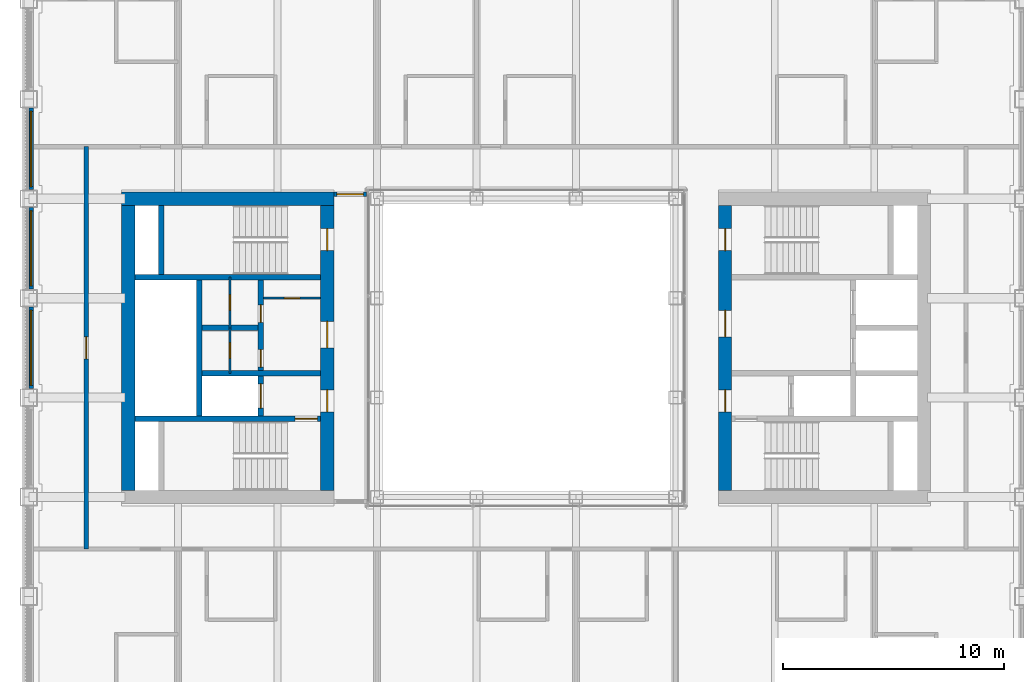
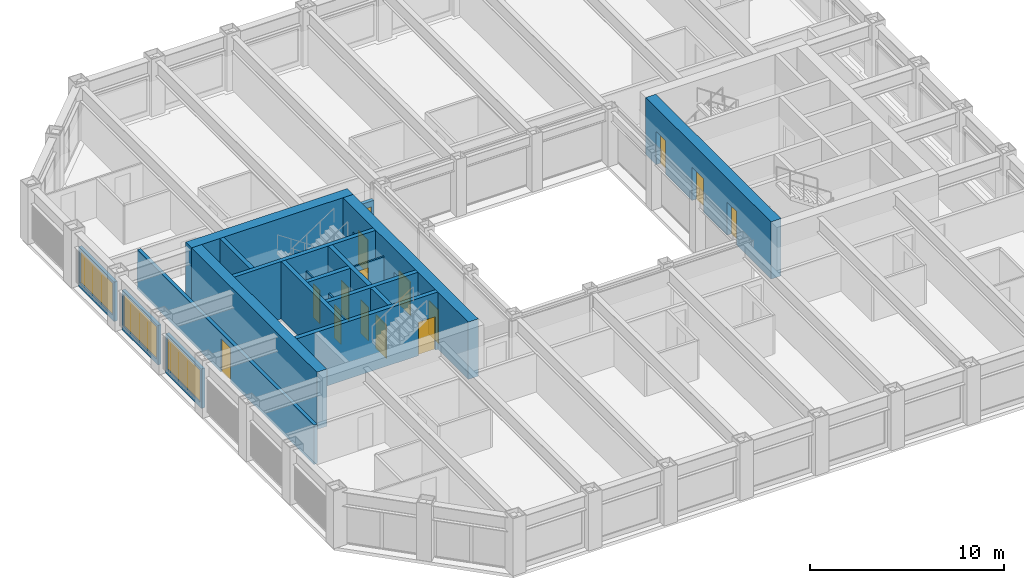
# One storey, part 11 of 17: 19 walls, 15 doors, 3 windows, 18 openings.
"""IFC4 building model written with IfcOpenShell, lengths in metres."""

from ifc_helpers import new_model, si_unit, direction, frame, frame_2d, origin, place, context, subcontext, project, spatial, rectangle, extrude, material, layer, layer_set, type_object, element, fill, save


model = new_model("IFC4")

# Units and contexts
model_context = context("Model", 3, precision=1e-05, world=origin(), true_north=direction((0.0, 1.0)))
body_context = subcontext(model_context, "Body", "Model", "MODEL_VIEW")
ifc_project = project(units=[si_unit("LENGTHUNIT", "METRE"), si_unit("AREAUNIT", "SQUARE_METRE"), si_unit("VOLUMEUNIT", "CUBIC_METRE"), si_unit("PLANEANGLEUNIT", "RADIAN"), si_unit("MASSUNIT", "GRAM", prefix="KILO")], contexts=[model_context])

# Site, building, storey
site_placement = place(None, origin())
site = spatial("IfcSite", under=ifc_project, at=site_placement, CompositionType="ELEMENT")
building_placement = place(site_placement, origin())
building = spatial("IfcBuilding", under=site, at=building_placement, Name="Msasa Ring Tower", CompositionType="ELEMENT")
storey_placement = place(building_placement, frame((0.0, 0.0, 168.800048828125)))
storey = spatial("IfcBuildingStorey", under=building, at=storey_placement, Name="L44", CompositionType="ELEMENT", Elevation=168.800048828125)

# Wall, openings, doors
ifc_material_1 = material(Name="Concrete C60/75", Category="concrete")
ifc_layer_1 = layer(ifc_material_1, 0.60009765625)
ifc_layer_set_1 = layer_set([ifc_layer_1], Name="CW2 CORE WALL 600")
wall_type_1 = type_object("IfcWallType", Name="CW2 CORE WALL 600", PredefinedType="SHEAR", material=ifc_layer_set_1)
wall_1_placement = place(storey_placement, frame((9.0, -6.449951171875, 0.0), z_axis=(0.0, 0.0, 1.0), x_axis=(0.0, 1.0, 0.0)))
wall_1 = element("IfcWall", 1, at=wall_1_placement, inside=storey, type_object=wall_type_1, Name="E core wall W L44", PredefinedType="SHEAR", context=body_context, shape_type="SweptSolid", body=[
    extrude(rectangle(XDim=12.89990234375, YDim=0.60009765625, at=frame_2d((6.449951171875, 0.0))), origin(), (0.0, 0.0, 1.0), 3.599853515625),
])
opening_1_placement = place(wall_1_placement, frame((3.550048828125, 0.0, 0.0)))
opening_1 = element("IfcOpeningElement", 2, at=opening_1_placement, cuts=wall_1, Name="Opening HE-028", PredefinedType="OPENING", context=body_context, shape_type="SweptSolid", body=[
    extrude(rectangle(XDim=1.0, YDim=2.10009765625, at=frame_2d((0.5, 1.050048828125))), frame((0.0, 0.31005859375, 0.0), z_axis=(0.0, -1.0, 0.0), x_axis=(1.0, 0.0, 0.0)), (0.0, 0.0, 1.0), 0.6201171875),
])
opening_2_placement = place(wall_1_placement, frame((6.949951171875, 0.0, 0.0)))
opening_2 = element("IfcOpeningElement", 3, at=opening_2_placement, cuts=wall_1, Name="Opening HE-021", PredefinedType="OPENING", context=body_context, shape_type="SweptSolid", body=[
    extrude(rectangle(XDim=1.199951171875, YDim=2.10009765625, at=frame_2d((0.60009765625, 1.050048828125))), frame((0.0, 0.31005859375, 0.0), z_axis=(0.0, -1.0, 0.0), x_axis=(1.0, 0.0, 0.0)), (0.0, 0.0, 1.0), 0.6201171875),
])
opening_3_placement = place(wall_1_placement, frame((10.85009765625, 0.0, 0.0)))
opening_3 = element("IfcOpeningElement", 4, at=opening_3_placement, cuts=wall_1, Name="Opening HE-017", PredefinedType="OPENING", context=body_context, shape_type="SweptSolid", body=[
    extrude(rectangle(XDim=1.0, YDim=2.10009765625, at=frame_2d((0.5, 1.050048828125))), frame((0.0, 0.31005859375, 0.0), z_axis=(0.0, -1.0, 0.0), x_axis=(1.0, 0.0, 0.0)), (0.0, 0.0, 1.0), 0.6201171875),
])
ifc_material_2 = material(Name="Timber door leaf in a steel frame", Category="steel")
door_type_1 = type_object("IfcDoorType", Name="D4 LOBBY DOOR 1000x2100", OperationType="SINGLE_SWING_LEFT", PredefinedType="DOOR", material=ifc_material_2)
door_1_placement = place(opening_1_placement, origin())
door_1 = element("IfcDoor", 5, at=door_1_placement, inside=storey, type_object=door_type_1, Name="Door L44-EFFL", OperationType="SINGLE_SWING_LEFT", OverallHeight=2.10009765625, OverallWidth=1.0, PredefinedType="DOOR", context=body_context, shape_type="SweptSolid", body=[
    extrude(rectangle(XDim=1.0, YDim=2.10009765625, at=frame_2d((0.5, 1.050048828125))), frame((0.0, 0.02490234375, 0.0), z_axis=(0.0, -1.0, 0.0), x_axis=(1.0, 0.0, 0.0)), (0.0, 0.0, 1.0), 0.050048828125),
])
fill(opening_1, door_1)
ifc_material_3 = material(Name="Timber door leaf in a steel frame", Category="steel")
door_type_2 = type_object("IfcDoorType", Name="D5 WIDE LOBBY DOOR 1200x2100", OperationType="SINGLE_SWING_LEFT", PredefinedType="DOOR", material=ifc_material_3)
door_2_placement = place(opening_2_placement, origin())
door_2 = element("IfcDoor", 6, at=door_2_placement, inside=storey, type_object=door_type_2, Name="Door L44-ELL", OperationType="SINGLE_SWING_RIGHT", OverallHeight=2.10009765625, OverallWidth=1.199951171875, PredefinedType="DOOR", context=body_context, shape_type="SweptSolid", body=[
    extrude(rectangle(XDim=1.199951171875, YDim=2.10009765625, at=frame_2d((0.60009765625, 1.050048828125))), frame((0.0, 0.02490234375, 0.0), z_axis=(0.0, -1.0, 0.0), x_axis=(1.0, 0.0, 0.0)), (0.0, 0.0, 1.0), 0.050048828125),
])
fill(opening_2, door_2)
ifc_material_4 = material(Name="Timber door leaf in a steel frame", Category="steel")
door_type_3 = type_object("IfcDoorType", Name="D6 STAIR DOOR 1000x2100", OperationType="SINGLE_SWING_LEFT", PredefinedType="DOOR", material=ifc_material_4)
door_3_placement = place(opening_3_placement, origin())
door_3 = element("IfcDoor", 7, at=door_3_placement, inside=storey, type_object=door_type_3, Name="Door L44-ESTB", OperationType="SINGLE_SWING_RIGHT", OverallHeight=2.10009765625, OverallWidth=1.0, PredefinedType="DOOR", context=body_context, shape_type="SweptSolid", body=[
    extrude(rectangle(XDim=1.0, YDim=2.10009765625, at=frame_2d((0.5, 1.050048828125))), frame((0.0, 0.02490234375, 0.0), z_axis=(0.0, -1.0, 0.0), x_axis=(1.0, 0.0, 0.0)), (0.0, 0.0, 1.0), 0.050048828125),
])
fill(opening_3, door_3)

# Wall
wall_2_placement = place(storey_placement, frame((-8.699951171875, 6.75, 0.0), z_axis=(0.0, 0.0, 1.0), x_axis=(-1.0, 0.0, 0.0)))
element("IfcWall", 8, at=wall_2_placement, inside=storey, type_object=wall_type_1, Name="W core wall N L44", PredefinedType="SHEAR", context=body_context, shape_type="SweptSolid", body=[
    extrude(rectangle(XDim=9.60009765625, YDim=0.60009765625, at=frame_2d((4.800048828125, 0.0))), origin(), (0.0, 0.0, 1.0), 3.599853515625),
])

# Wall, openings, doors
wall_3_placement = place(storey_placement, frame((-9.0, -6.449951171875, 0.0), z_axis=(0.0, 0.0, 1.0), x_axis=(0.0, 1.0, 0.0)))
wall_3 = element("IfcWall", 9, at=wall_3_placement, inside=storey, type_object=wall_type_1, Name="W core wall W L44", PredefinedType="SHEAR", context=body_context, shape_type="SweptSolid", body=[
    extrude(rectangle(XDim=12.89990234375, YDim=0.60009765625, at=frame_2d((6.449951171875, 0.0))), origin(), (0.0, 0.0, 1.0), 3.599853515625),
])
opening_4_placement = place(wall_3_placement, frame((3.550048828125, 0.0, 0.0)))
opening_4 = element("IfcOpeningElement", 10, at=opening_4_placement, cuts=wall_3, Name="Opening HE-027", PredefinedType="OPENING", context=body_context, shape_type="SweptSolid", body=[
    extrude(rectangle(XDim=1.0, YDim=2.10009765625, at=frame_2d((0.5, 1.050048828125))), frame((0.0, 0.31005859375, 0.0), z_axis=(0.0, -1.0, 0.0), x_axis=(1.0, 0.0, 0.0)), (0.0, 0.0, 1.0), 0.6201171875),
])
opening_5_placement = place(wall_3_placement, frame((6.449951171875, 0.0, 0.0)))
opening_5 = element("IfcOpeningElement", 11, at=opening_5_placement, cuts=wall_3, Name="Opening HE-022", PredefinedType="OPENING", context=body_context, shape_type="SweptSolid", body=[
    extrude(rectangle(XDim=1.199951171875, YDim=2.10009765625, at=frame_2d((0.60009765625, 1.050048828125))), frame((0.0, 0.31005859375, 0.0), z_axis=(0.0, -1.0, 0.0), x_axis=(1.0, 0.0, 0.0)), (0.0, 0.0, 1.0), 0.6201171875),
])
opening_6_placement = place(wall_3_placement, frame((10.85009765625, 0.0, 0.0)))
opening_6 = element("IfcOpeningElement", 12, at=opening_6_placement, cuts=wall_3, Name="Opening HE-016", PredefinedType="OPENING", context=body_context, shape_type="SweptSolid", body=[
    extrude(rectangle(XDim=1.0, YDim=2.10009765625, at=frame_2d((0.5, 1.050048828125))), frame((0.0, 0.31005859375, 0.0), z_axis=(0.0, -1.0, 0.0), x_axis=(1.0, 0.0, 0.0)), (0.0, 0.0, 1.0), 0.6201171875),
])
door_4_placement = place(opening_4_placement, origin())
door_4 = element("IfcDoor", 13, at=door_4_placement, inside=storey, type_object=door_type_1, Name="Door L44-WFFL", OperationType="SINGLE_SWING_LEFT", OverallHeight=2.10009765625, OverallWidth=1.0, PredefinedType="DOOR", context=body_context, shape_type="SweptSolid", body=[
    extrude(rectangle(XDim=1.0, YDim=2.10009765625, at=frame_2d((0.5, 1.050048828125))), frame((0.0, 0.02490234375, 0.0), z_axis=(0.0, -1.0, 0.0), x_axis=(1.0, 0.0, 0.0)), (0.0, 0.0, 1.0), 0.050048828125),
])
fill(opening_4, door_4)
door_5_placement = place(opening_5_placement, origin())
door_5 = element("IfcDoor", 14, at=door_5_placement, inside=storey, type_object=door_type_2, Name="Door L44-WLL", OperationType="SINGLE_SWING_RIGHT", OverallHeight=2.10009765625, OverallWidth=1.199951171875, PredefinedType="DOOR", context=body_context, shape_type="SweptSolid", body=[
    extrude(rectangle(XDim=1.199951171875, YDim=2.10009765625, at=frame_2d((0.60009765625, 1.050048828125))), frame((0.0, 0.02490234375, 0.0), z_axis=(0.0, -1.0, 0.0), x_axis=(1.0, 0.0, 0.0)), (0.0, 0.0, 1.0), 0.050048828125),
])
fill(opening_5, door_5)
door_6_placement = place(opening_6_placement, origin())
door_6 = element("IfcDoor", 15, at=door_6_placement, inside=storey, type_object=door_type_3, Name="Door L44-WSTB", OperationType="SINGLE_SWING_RIGHT", OverallHeight=2.10009765625, OverallWidth=1.0, PredefinedType="DOOR", context=body_context, shape_type="SweptSolid", body=[
    extrude(rectangle(XDim=1.0, YDim=2.10009765625, at=frame_2d((0.5, 1.050048828125))), frame((0.0, 0.02490234375, 0.0), z_axis=(0.0, -1.0, 0.0), x_axis=(1.0, 0.0, 0.0)), (0.0, 0.0, 1.0), 0.050048828125),
])
fill(opening_6, door_6)

# Wall
wall_4_placement = place(storey_placement, frame((-18.0, -6.449951171875, 0.0), z_axis=(0.0, 0.0, 1.0), x_axis=(0.0, 1.0, 0.0)))
element("IfcWall", 16, at=wall_4_placement, inside=storey, type_object=wall_type_1, Name="W core wall E L44", PredefinedType="SHEAR", context=body_context, shape_type="SweptSolid", body=[
    extrude(rectangle(XDim=12.89990234375, YDim=0.60009765625, at=frame_2d((6.449951171875, 0.0))), origin(), (0.0, 0.0, 1.0), 3.599853515625),
])

# Wall, opening, door
ifc_material_5 = material(Name="Concrete C60/75", Category="concrete")
ifc_layer_2 = layer(ifc_material_5, 0.25)
ifc_layer_set_2 = layer_set([ifc_layer_2], Name="CW4 CORE INNER WALL 250")
wall_type_2 = type_object("IfcWallType", Name="CW4 CORE INNER WALL 250", PredefinedType="SHEAR", material=ifc_layer_set_2)
wall_5_placement = place(storey_placement, frame((-9.300048828125, -3.199951171875, 0.0), z_axis=(0.0, 0.0, 1.0), x_axis=(-1.0, 0.0, 0.0)))
wall_5 = element("IfcWall", 17, at=wall_5_placement, inside=storey, type_object=wall_type_2, Name="W core wall STAIRA L44", PredefinedType="SHEAR", context=body_context, shape_type="SweptSolid", body=[
    extrude(rectangle(XDim=8.39990234375, YDim=0.25, at=frame_2d((4.199951171875, 0.0))), origin(), (0.0, 0.0, 1.0), 3.599853515625),
])
opening_7_placement = place(wall_5_placement, frame((0.14990234375, 0.0, 0.0)))
opening_7 = element("IfcOpeningElement", 18, at=opening_7_placement, cuts=wall_5, Name="Opening HE-029", PredefinedType="OPENING", context=body_context, shape_type="SweptSolid", body=[
    extrude(rectangle(XDim=1.0, YDim=2.10009765625, at=frame_2d((0.5, 1.050048828125))), frame((0.0, 0.135009765625, 0.0), z_axis=(0.0, -1.0, 0.0), x_axis=(1.0, 0.0, 0.0)), (0.0, 0.0, 1.0), 0.27001953125),
])
door_7_placement = place(opening_7_placement, origin())
door_7 = element("IfcDoor", 19, at=door_7_placement, inside=storey, type_object=door_type_3, Name="Door L44-WSTA", OperationType="SINGLE_SWING_LEFT", OverallHeight=2.10009765625, OverallWidth=1.0, PredefinedType="DOOR", context=body_context, shape_type="SweptSolid", body=[
    extrude(rectangle(XDim=1.0, YDim=2.10009765625, at=frame_2d((0.5, 1.050048828125))), frame((0.0, 0.02490234375, 0.0), z_axis=(0.0, -1.0, 0.0), x_axis=(1.0, 0.0, 0.0)), (0.0, 0.0, 1.0), 0.050048828125),
])
fill(opening_7, door_7)

# Walls
wall_6_placement = place(storey_placement, frame((-9.300048828125, 3.199951171875, 0.0), z_axis=(0.0, 0.0, 1.0), x_axis=(-1.0, 0.0, 0.0)))
element("IfcWall", 20, at=wall_6_placement, inside=storey, type_object=wall_type_2, Name="W core wall STAIRB L44", PredefinedType="SHEAR", context=body_context, shape_type="SweptSolid", body=[
    extrude(rectangle(XDim=8.39990234375, YDim=0.25, at=frame_2d((4.199951171875, 0.0))), origin(), (0.0, 0.0, 1.0), 3.599853515625),
])
wall_7_placement = place(storey_placement, frame((-16.5, 3.324951171875, 0.0), z_axis=(0.0, 0.0, 1.0), x_axis=(0.0, 1.0, 0.0)))
element("IfcWall", 21, at=wall_7_placement, inside=storey, type_object=wall_type_2, Name="W core wall RISERB L44", PredefinedType="SHEAR", context=body_context, shape_type="SweptSolid", body=[
    extrude(rectangle(XDim=3.125, YDim=0.25, at=frame_2d((1.5625, 0.0))), origin(), (0.0, 0.0, 1.0), 3.599853515625),
])
wall_8_placement = place(storey_placement, frame((-9.300048828125, -1.14990234375, 0.0), z_axis=(0.0, 0.0, 1.0), x_axis=(-1.0, 0.0, 0.0)))
element("IfcWall", 22, at=wall_8_placement, inside=storey, type_object=wall_type_2, Name="W core wall FFL L44", PredefinedType="SHEAR", context=body_context, shape_type="SweptSolid", body=[
    extrude(rectangle(XDim=5.375, YDim=0.25, at=frame_2d((2.6875, 0.0))), origin(), (0.0, 0.0, 1.0), 3.599853515625),
])

# Wall, openings, doors
wall_9_placement = place(storey_placement, frame((-12.0, -3.074951171875, 0.0), z_axis=(0.0, 0.0, 1.0), x_axis=(0.0, 1.0, 0.0)))
wall_9 = element("IfcWall", 23, at=wall_9_placement, inside=storey, type_object=wall_type_2, Name="W core wall LOBBY L44", PredefinedType="SHEAR", context=body_context, shape_type="SweptSolid", body=[
    extrude(rectangle(XDim=6.14990234375, YDim=0.25, at=frame_2d((3.074951171875, 0.0))), origin(), (0.0, 0.0, 1.0), 3.599853515625),
])
opening_8_placement = place(wall_9_placement, frame((2.199951171875, 0.0, 0.0)))
opening_8 = element("IfcOpeningElement", 24, at=opening_8_placement, cuts=wall_9, Name="Opening HE-026", PredefinedType="OPENING", context=body_context, shape_type="SweptSolid", body=[
    extrude(rectangle(XDim=0.800048828125, YDim=2.10009765625, at=frame_2d((0.39990234375, 1.050048828125))), frame((0.0, 0.135009765625, 0.0), z_axis=(0.0, -1.0, 0.0), x_axis=(1.0, 0.0, 0.0)), (0.0, 0.0, 1.0), 0.27001953125),
])
opening_9_placement = place(wall_9_placement, frame((4.22509765625, 0.0, 0.0)))
opening_9 = element("IfcOpeningElement", 25, at=opening_9_placement, cuts=wall_9, Name="Opening HE-020", PredefinedType="OPENING", context=body_context, shape_type="SweptSolid", body=[
    extrude(rectangle(XDim=0.800048828125, YDim=2.10009765625, at=frame_2d((0.39990234375, 1.050048828125))), frame((0.0, 0.135009765625, 0.0), z_axis=(0.0, -1.0, 0.0), x_axis=(1.0, 0.0, 0.0)), (0.0, 0.0, 1.0), 0.27001953125),
])
opening_10_placement = place(wall_9_placement, frame((0.35009765625, 0.0, 0.0)))
opening_10 = element("IfcOpeningElement", 26, at=opening_10_placement, cuts=wall_9, Name="Opening LD1", PredefinedType="OPENING", context=body_context, shape_type="SweptSolid", body=[
    extrude(rectangle(XDim=1.10009765625, YDim=2.10009765625, at=frame_2d((0.550048828125, 1.050048828125))), frame((0.0, 0.135009765625, 0.0), z_axis=(0.0, -1.0, 0.0), x_axis=(1.0, 0.0, 0.0)), (0.0, 0.0, 1.0), 0.27001953125),
])
ifc_material_6 = material(Name="Timber door leaf in a steel frame", Category="steel")
door_type_4 = type_object("IfcDoorType", Name="D9 NARROW SERVICE DOOR 800x2100", OperationType="SINGLE_SWING_LEFT", PredefinedType="DOOR", material=ifc_material_6)
door_8_placement = place(opening_8_placement, origin())
door_8 = element("IfcDoor", 27, at=door_8_placement, inside=storey, type_object=door_type_4, Name="Door L44-WR1", OperationType="SINGLE_SWING_LEFT", OverallHeight=2.10009765625, OverallWidth=0.800048828125, PredefinedType="DOOR", context=body_context, shape_type="SweptSolid", body=[
    extrude(rectangle(XDim=0.800048828125, YDim=2.10009765625, at=frame_2d((0.39990234375, 1.050048828125))), frame((0.0, 0.02490234375, 0.0), z_axis=(0.0, -1.0, 0.0), x_axis=(1.0, 0.0, 0.0)), (0.0, 0.0, 1.0), 0.050048828125),
])
fill(opening_8, door_8)
door_9_placement = place(opening_9_placement, origin())
door_9 = element("IfcDoor", 28, at=door_9_placement, inside=storey, type_object=door_type_4, Name="Door L44-WR2", OperationType="SINGLE_SWING_RIGHT", OverallHeight=2.10009765625, OverallWidth=0.800048828125, PredefinedType="DOOR", context=body_context, shape_type="SweptSolid", body=[
    extrude(rectangle(XDim=0.800048828125, YDim=2.10009765625, at=frame_2d((0.39990234375, 1.050048828125))), frame((0.0, 0.02490234375, 0.0), z_axis=(0.0, -1.0, 0.0), x_axis=(1.0, 0.0, 0.0)), (0.0, 0.0, 1.0), 0.050048828125),
])
fill(opening_9, door_9)
ifc_material_7 = material(Name="Stainless steel lift landing door", Category="steel")
door_type_5 = type_object("IfcDoorType", Name="LD1 LIFT LANDING DOOR 1100x2100", OperationType="DOUBLE_DOOR_SLIDING", PredefinedType="DOOR", material=ifc_material_7)
door_10_placement = place(opening_10_placement, origin())
door_10 = element("IfcDoor", 29, at=door_10_placement, inside=storey, type_object=door_type_5, Name="Lift landing door FL-W L44", OperationType="DOUBLE_DOOR_SLIDING", OverallHeight=2.10009765625, OverallWidth=1.10009765625, PredefinedType="DOOR", context=body_context, shape_type="SweptSolid", body=[
    extrude(rectangle(XDim=1.10009765625, YDim=2.10009765625, at=frame_2d((0.550048828125, 1.050048828125))), frame((0.0, 0.02490234375, 0.0), z_axis=(0.0, -1.0, 0.0), x_axis=(1.0, 0.0, 0.0)), (0.0, 0.0, 1.0), 0.050048828125),
])
fill(opening_10, door_10)

# Walls
wall_10_placement = place(storey_placement, frame((-14.800048828125, -3.074951171875, 0.0), z_axis=(0.0, 0.0, 1.0), x_axis=(0.0, 1.0, 0.0)))
element("IfcWall", 30, at=wall_10_placement, inside=storey, type_object=wall_type_2, Name="W core wall SHAFT L44", PredefinedType="SHEAR", context=body_context, shape_type="SweptSolid", body=[
    extrude(rectangle(XDim=6.14990234375, YDim=0.25, at=frame_2d((3.074951171875, 0.0))), origin(), (0.0, 0.0, 1.0), 3.599853515625),
])
wall_11_placement = place(storey_placement, frame((-12.125, 0.89990234375, 0.0), z_axis=(0.0, 0.0, 1.0), x_axis=(-1.0, 0.0, 0.0)))
element("IfcWall", 31, at=wall_11_placement, inside=storey, type_object=wall_type_2, Name="W core wall LIFT1 L44", PredefinedType="SHEAR", context=body_context, shape_type="SweptSolid", body=[
    extrude(rectangle(XDim=2.550048828125, YDim=0.25, at=frame_2d((1.27490234375, 0.0))), origin(), (0.0, 0.0, 1.0), 3.599853515625),
])

# Wall, opening, window
ifc_material_8 = material(Name="Terracotta rainscreen on blockwork", Category="masonry")
ifc_layer_3 = layer(ifc_material_8, 0.199951171875)
ifc_layer_set_3 = layer_set([ifc_layer_3], Name="FW1 TERRACOTTA-LINED INFILL BAY WALL 200")
wall_type_3 = type_object("IfcWallType", Name="FW1 TERRACOTTA-LINED INFILL BAY WALL 200", PredefinedType="SOLIDWALL", material=ifc_layer_set_3)
wall_12_placement = place(storey_placement, frame((-22.39990234375, -1.844970703125, 0.0), z_axis=(0.0, 0.0, 1.0), x_axis=(0.0, 1.0, 0.0)))
wall_12 = element("IfcWall", 32, at=wall_12_placement, inside=storey, type_object=wall_type_3, Name="Infill bay wall W L44 30", PredefinedType="SOLIDWALL", context=body_context, shape_type="SweptSolid", body=[
    extrude(rectangle(XDim=3.68994140625, YDim=0.199951171875, at=frame_2d((1.844970703125, 0.0))), origin(), (0.0, 0.0, 1.0), 2.47900390625),
])
opening_11_placement = place(wall_12_placement, frame((0.14501953125, 0.0, 0.300048828125)))
opening_11 = element("IfcOpeningElement", 33, at=opening_11_placement, cuts=wall_12, Name="Opening WN2", PredefinedType="OPENING", context=body_context, shape_type="SweptSolid", body=[
    extrude(rectangle(XDim=3.39990234375, YDim=2.029052734375, at=frame_2d((1.699951171875, 1.0146484375))), frame((0.0, 0.10986328125, 0.0), z_axis=(0.0, -1.0, 0.0), x_axis=(1.0, 0.0, 0.0)), (0.0, 0.0, 1.0), 0.219970703125),
])
ifc_material_9 = material(Name="Aluminium frame with clear glass", Category="aluminium")
window_type = type_object("IfcWindowType", Name="WN2 GUEST ROOM WINDOW 3400x2029", PartitioningType="SINGLE_PANEL", PredefinedType="WINDOW", material=ifc_material_9)
window_1_placement = place(opening_11_placement, origin())
window_1 = element("IfcWindow", 34, at=window_1_placement, inside=storey, type_object=window_type, Name="Window W L44 30", OverallHeight=2.029052734375, OverallWidth=3.39990234375, PartitioningType="SINGLE_PANEL", PredefinedType="WINDOW", context=body_context, shape_type="SweptSolid", body=[
    extrude(rectangle(XDim=3.39990234375, YDim=2.029052734375, at=frame_2d((1.699951171875, 1.0146484375))), frame((0.0, 0.030029296875, 0.0), z_axis=(0.0, -1.0, 0.0), x_axis=(1.0, 0.0, 0.0)), (0.0, 0.0, 1.0), 0.06005859375),
])
fill(opening_11, window_1)

wall_13_placement = place(storey_placement, frame((-22.39990234375, 2.655029296875, 0.0), z_axis=(0.0, 0.0, 1.0), x_axis=(0.0, 1.0, 0.0)))
wall_13 = element("IfcWall", 35, at=wall_13_placement, inside=storey, type_object=wall_type_3, Name="Infill bay wall W L44 31", PredefinedType="SOLIDWALL", context=body_context, shape_type="SweptSolid", body=[
    extrude(rectangle(XDim=3.68994140625, YDim=0.199951171875, at=frame_2d((1.844970703125, 0.0))), origin(), (0.0, 0.0, 1.0), 2.47900390625),
])
opening_12_placement = place(wall_13_placement, frame((0.14501953125, 0.0, 0.300048828125)))
opening_12 = element("IfcOpeningElement", 36, at=opening_12_placement, cuts=wall_13, Name="Opening WN2", PredefinedType="OPENING", context=body_context, shape_type="SweptSolid", body=[
    extrude(rectangle(XDim=3.39990234375, YDim=2.029052734375, at=frame_2d((1.699951171875, 1.0146484375))), frame((0.0, 0.10986328125, 0.0), z_axis=(0.0, -1.0, 0.0), x_axis=(1.0, 0.0, 0.0)), (0.0, 0.0, 1.0), 0.219970703125),
])
window_2_placement = place(opening_12_placement, origin())
window_2 = element("IfcWindow", 37, at=window_2_placement, inside=storey, type_object=window_type, Name="Window W L44 31", OverallHeight=2.029052734375, OverallWidth=3.39990234375, PartitioningType="SINGLE_PANEL", PredefinedType="WINDOW", context=body_context, shape_type="SweptSolid", body=[
    extrude(rectangle(XDim=3.39990234375, YDim=2.029052734375, at=frame_2d((1.699951171875, 1.0146484375))), frame((0.0, 0.030029296875, 0.0), z_axis=(0.0, -1.0, 0.0), x_axis=(1.0, 0.0, 0.0)), (0.0, 0.0, 1.0), 0.06005859375),
])
fill(opening_12, window_2)

wall_14_placement = place(storey_placement, frame((-22.39990234375, 7.155029296875, 0.0), z_axis=(0.0, 0.0, 1.0), x_axis=(0.0, 1.0, 0.0)))
wall_14 = element("IfcWall", 38, at=wall_14_placement, inside=storey, type_object=wall_type_3, Name="Infill bay wall W L44 32", PredefinedType="SOLIDWALL", context=body_context, shape_type="SweptSolid", body=[
    extrude(rectangle(XDim=3.68994140625, YDim=0.199951171875, at=frame_2d((1.844970703125, 0.0))), origin(), (0.0, 0.0, 1.0), 2.47900390625),
])
opening_13_placement = place(wall_14_placement, frame((0.14501953125, 0.0, 0.300048828125)))
opening_13 = element("IfcOpeningElement", 39, at=opening_13_placement, cuts=wall_14, Name="Opening WN2", PredefinedType="OPENING", context=body_context, shape_type="SweptSolid", body=[
    extrude(rectangle(XDim=3.39990234375, YDim=2.029052734375, at=frame_2d((1.699951171875, 1.0146484375))), frame((0.0, 0.10986328125, 0.0), z_axis=(0.0, -1.0, 0.0), x_axis=(1.0, 0.0, 0.0)), (0.0, 0.0, 1.0), 0.219970703125),
])
window_3_placement = place(opening_13_placement, origin())
window_3 = element("IfcWindow", 40, at=window_3_placement, inside=storey, type_object=window_type, Name="Window W L44 32", OverallHeight=2.029052734375, OverallWidth=3.39990234375, PartitioningType="SINGLE_PANEL", PredefinedType="WINDOW", context=body_context, shape_type="SweptSolid", body=[
    extrude(rectangle(XDim=3.39990234375, YDim=2.029052734375, at=frame_2d((1.699951171875, 1.0146484375))), frame((0.0, 0.030029296875, 0.0), z_axis=(0.0, -1.0, 0.0), x_axis=(1.0, 0.0, 0.0)), (0.0, 0.0, 1.0), 0.06005859375),
])
fill(opening_13, window_3)

# Wall, opening, door
ifc_material_10 = material(Name="Concrete blockwork", Category="masonry")
ifc_layer_4 = layer(ifc_material_10, 0.199951171875)
ifc_layer_set_4 = layer_set([ifc_layer_4], Name="PT1 CORRIDOR WALL 200")
wall_type_4 = type_object("IfcWallType", Name="PT1 CORRIDOR WALL 200", PredefinedType="PARTITIONING", material=ifc_layer_set_4)
wall_15_placement = place(storey_placement, frame((-8.699951171875, 6.949951171875, 0.0), z_axis=(0.0, 0.0, 1.0), x_axis=(1.0, 0.0, 0.0)))
wall_15 = element("IfcWall", 41, at=wall_15_placement, inside=storey, type_object=wall_type_4, Name="Corridor wall L44-SDWN", PredefinedType="PARTITIONING", context=body_context, shape_type="SweptSolid", body=[
    extrude(rectangle(XDim=1.469970703125, YDim=0.199951171875, at=frame_2d((0.73486328125, 0.0))), origin(), (0.0, 0.0, 1.0), 2.473388671875),
])
opening_14_placement = place(wall_15_placement, frame((0.135009765625, 0.0, 0.0)))
opening_14 = element("IfcOpeningElement", 42, at=opening_14_placement, cuts=wall_15, Name="Opening HE-015", PredefinedType="OPENING", context=body_context, shape_type="SweptSolid", body=[
    extrude(rectangle(XDim=1.199951171875, YDim=2.10009765625, at=frame_2d((0.60009765625, 1.050048828125))), frame((0.0, 0.10986328125, 0.0), z_axis=(0.0, -1.0, 0.0), x_axis=(1.0, 0.0, 0.0)), (0.0, 0.0, 1.0), 0.219970703125),
])
ifc_material_11 = material(Name="Timber door leaf in a steel frame", Category="steel")
door_type_6 = type_object("IfcDoorType", Name="D25 CORRIDOR PAIR OF SMOKE DOORS 1200x2100", OperationType="DOUBLE_DOOR_DOUBLE_SWING", PredefinedType="DOOR", material=ifc_material_11)
door_11_placement = place(opening_14_placement, origin())
door_11 = element("IfcDoor", 43, at=door_11_placement, inside=storey, type_object=door_type_6, Name="Door L44-SDWN", OperationType="DOUBLE_DOOR_DOUBLE_SWING", OverallHeight=2.10009765625, OverallWidth=1.199951171875, PredefinedType="DOOR", context=body_context, shape_type="SweptSolid", body=[
    extrude(rectangle(XDim=1.199951171875, YDim=2.10009765625, at=frame_2d((0.60009765625, 1.050048828125))), frame((0.0, 0.02490234375, 0.0), z_axis=(0.0, -1.0, 0.0), x_axis=(1.0, 0.0, 0.0)), (0.0, 0.0, 1.0), 0.050048828125),
])
fill(opening_14, door_11)

wall_16_placement = place(storey_placement, frame((-19.89990234375, -9.10009765625, 0.0), z_axis=(0.0, 0.0, 1.0), x_axis=(0.0, 1.0, 0.0)))
wall_16 = element("IfcWall", 44, at=wall_16_placement, inside=storey, type_object=wall_type_4, Name="Corridor wall L44-STRW", PredefinedType="PARTITIONING", context=body_context, shape_type="SweptSolid", body=[
    extrude(rectangle(XDim=18.2001953125, YDim=0.199951171875, at=frame_2d((9.10009765625, 0.0))), origin(), (0.0, 0.0, 1.0), 2.473388671875),
])
opening_15_placement = place(wall_16_placement, frame((8.60009765625, 0.0, 0.0)))
opening_15 = element("IfcOpeningElement", 45, at=opening_15_placement, cuts=wall_16, Name="Opening HE-023", PredefinedType="OPENING", context=body_context, shape_type="SweptSolid", body=[
    extrude(rectangle(XDim=1.0, YDim=2.10009765625, at=frame_2d((0.5, 1.050048828125))), frame((0.0, 0.10986328125, 0.0), z_axis=(0.0, -1.0, 0.0), x_axis=(1.0, 0.0, 0.0)), (0.0, 0.0, 1.0), 0.219970703125),
])
ifc_material_12 = material(Name="Timber door leaf in a steel frame", Category="steel")
door_type_7 = type_object("IfcDoorType", Name="D10 STORE DOOR 1000x2100", OperationType="SINGLE_SWING_LEFT", PredefinedType="DOOR", material=ifc_material_12)
door_12_placement = place(opening_15_placement, origin())
door_12 = element("IfcDoor", 46, at=door_12_placement, inside=storey, type_object=door_type_7, Name="Door L44-LGW", OperationType="SINGLE_SWING_LEFT", OverallHeight=2.10009765625, OverallWidth=1.0, PredefinedType="DOOR", context=body_context, shape_type="SweptSolid", body=[
    extrude(rectangle(XDim=1.0, YDim=2.10009765625, at=frame_2d((0.5, 1.050048828125))), frame((0.0, 0.02490234375, 0.0), z_axis=(0.0, -1.0, 0.0), x_axis=(1.0, 0.0, 0.0)), (0.0, 0.0, 1.0), 0.050048828125),
])
fill(opening_15, door_12)

ifc_material_13 = material(Name="Gypsum board on steel studs", Category="steel")
ifc_layer_5 = layer(ifc_material_13, 0.10009765625)
ifc_layer_set_5 = layer_set([ifc_layer_5], Name="PT2 STUD PARTITION 100")
wall_type_5 = type_object("IfcWallType", Name="PT2 STUD PARTITION 100", PredefinedType="PARTITIONING", material=ifc_layer_set_5)
wall_17_placement = place(storey_placement, frame((-11.875, 2.25, 0.0), z_axis=(0.0, 0.0, 1.0), x_axis=(1.0, 0.0, 0.0)))
wall_17 = element("IfcWall", 47, at=wall_17_placement, inside=storey, type_object=wall_type_5, Name="Partition L44-WCP", PredefinedType="PARTITIONING", context=body_context, shape_type="SweptSolid", body=[
    extrude(rectangle(XDim=2.574951171875, YDim=0.10009765625, at=frame_2d((1.28759765625, 0.0))), origin(), (0.0, 0.0, 1.0), 2.473388671875),
])
opening_16_placement = place(wall_17_placement, frame((0.9375, 0.0, 0.0)))
opening_16 = element("IfcOpeningElement", 48, at=opening_16_placement, cuts=wall_17, Name="Opening HE-018", PredefinedType="OPENING", context=body_context, shape_type="SweptSolid", body=[
    extrude(rectangle(XDim=0.699951171875, YDim=2.10009765625, at=frame_2d((0.35009765625, 1.050048828125))), frame((0.0, 0.06005859375, 0.0), z_axis=(0.0, -1.0, 0.0), x_axis=(1.0, 0.0, 0.0)), (0.0, 0.0, 1.0), 0.1201171875),
])
ifc_material_14 = material(Name="Timber door leaf in a steel frame", Category="steel")
door_type_8 = type_object("IfcDoorType", Name="D32 INTERNAL NARROW STORE DOOR 700x2100", OperationType="SINGLE_SWING_LEFT", PredefinedType="DOOR", material=ifc_material_14)
door_13_placement = place(opening_16_placement, origin())
door_13 = element("IfcDoor", 49, at=door_13_placement, inside=storey, type_object=door_type_8, Name="Door L44-WCP", OperationType="SINGLE_SWING_LEFT", OverallHeight=2.10009765625, OverallWidth=0.699951171875, PredefinedType="DOOR", context=body_context, shape_type="SweptSolid", body=[
    extrude(rectangle(XDim=0.699951171875, YDim=2.10009765625, at=frame_2d((0.35009765625, 1.050048828125))), frame((0.0, 0.02490234375, 0.0), z_axis=(0.0, -1.0, 0.0), x_axis=(1.0, 0.0, 0.0)), (0.0, 0.0, 1.0), 0.050048828125),
])
fill(opening_16, door_13)

wall_18_placement = place(storey_placement, frame((-13.39990234375, -1.14990234375, 0.0), z_axis=(0.0, 0.0, 1.0), x_axis=(0.0, 1.0, 0.0)))
wall_18 = element("IfcWall", 50, at=wall_18_placement, inside=storey, type_object=wall_type_5, Name="Partition L44-WRP1", PredefinedType="PARTITIONING", context=body_context, shape_type="SweptSolid", body=[
    extrude(rectangle(XDim=2.0498046875, YDim=0.10009765625, at=frame_2d((1.02490234375, 0.0))), origin(), (0.0, 0.0, 1.0), 2.473388671875),
])
opening_17_placement = place(wall_18_placement, frame((0.675048828125, 0.0, 0.0)))
opening_17 = element("IfcOpeningElement", 51, at=opening_17_placement, cuts=wall_18, Name="Opening HE-025", PredefinedType="OPENING", context=body_context, shape_type="SweptSolid", body=[
    extrude(rectangle(XDim=0.699951171875, YDim=2.10009765625, at=frame_2d((0.35009765625, 1.050048828125))), frame((0.0, 0.06005859375, 0.0), z_axis=(0.0, -1.0, 0.0), x_axis=(1.0, 0.0, 0.0)), (0.0, 0.0, 1.0), 0.1201171875),
])
door_14_placement = place(opening_17_placement, origin())
door_14 = element("IfcDoor", 52, at=door_14_placement, inside=storey, type_object=door_type_8, Name="Door L44-WRC1", OperationType="SINGLE_SWING_LEFT", OverallHeight=2.10009765625, OverallWidth=0.699951171875, PredefinedType="DOOR", context=body_context, shape_type="SweptSolid", body=[
    extrude(rectangle(XDim=0.699951171875, YDim=2.10009765625, at=frame_2d((0.35009765625, 1.050048828125))), frame((0.0, 0.02490234375, 0.0), z_axis=(0.0, -1.0, 0.0), x_axis=(1.0, 0.0, 0.0)), (0.0, 0.0, 1.0), 0.050048828125),
])
fill(opening_17, door_14)

wall_19_placement = place(storey_placement, frame((-13.39990234375, 0.89990234375, 0.0), z_axis=(0.0, 0.0, 1.0), x_axis=(0.0, 1.0, 0.0)))
wall_19 = element("IfcWall", 53, at=wall_19_placement, inside=storey, type_object=wall_type_5, Name="Partition L44-WRP2", PredefinedType="PARTITIONING", context=body_context, shape_type="SweptSolid", body=[
    extrude(rectangle(XDim=2.300048828125, YDim=0.10009765625, at=frame_2d((1.14990234375, 0.0))), origin(), (0.0, 0.0, 1.0), 2.473388671875),
])
opening_18_placement = place(wall_19_placement, frame((0.800048828125, 0.0, 0.0)))
opening_18 = element("IfcOpeningElement", 54, at=opening_18_placement, cuts=wall_19, Name="Opening HE-019", PredefinedType="OPENING", context=body_context, shape_type="SweptSolid", body=[
    extrude(rectangle(XDim=0.699951171875, YDim=2.10009765625, at=frame_2d((0.35009765625, 1.050048828125))), frame((0.0, 0.06005859375, 0.0), z_axis=(0.0, -1.0, 0.0), x_axis=(1.0, 0.0, 0.0)), (0.0, 0.0, 1.0), 0.1201171875),
])
door_15_placement = place(opening_18_placement, origin())
door_15 = element("IfcDoor", 55, at=door_15_placement, inside=storey, type_object=door_type_8, Name="Door L44-WRC2", OperationType="SINGLE_SWING_LEFT", OverallHeight=2.10009765625, OverallWidth=0.699951171875, PredefinedType="DOOR", context=body_context, shape_type="SweptSolid", body=[
    extrude(rectangle(XDim=0.699951171875, YDim=2.10009765625, at=frame_2d((0.35009765625, 1.050048828125))), frame((0.0, 0.02490234375, 0.0), z_axis=(0.0, -1.0, 0.0), x_axis=(1.0, 0.0, 0.0)), (0.0, 0.0, 1.0), 0.050048828125),
])
fill(opening_18, door_15)

save(model, "model.ifc")
